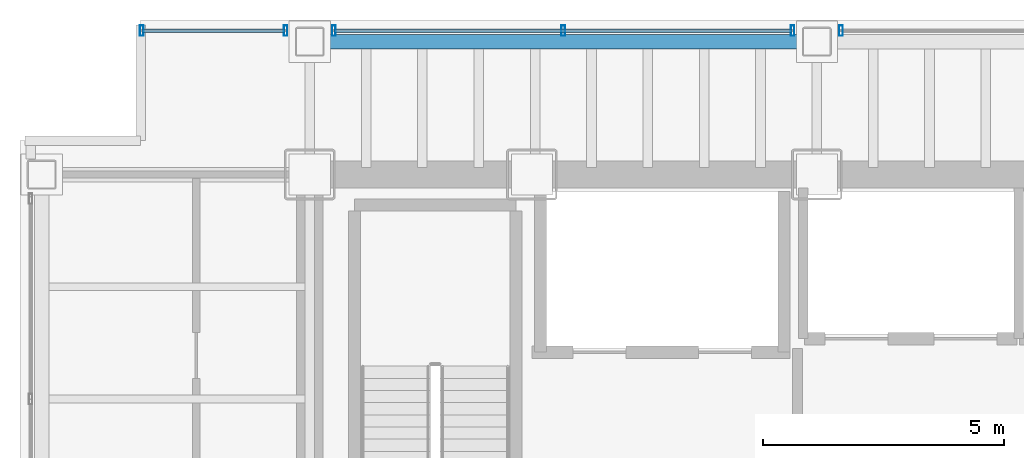
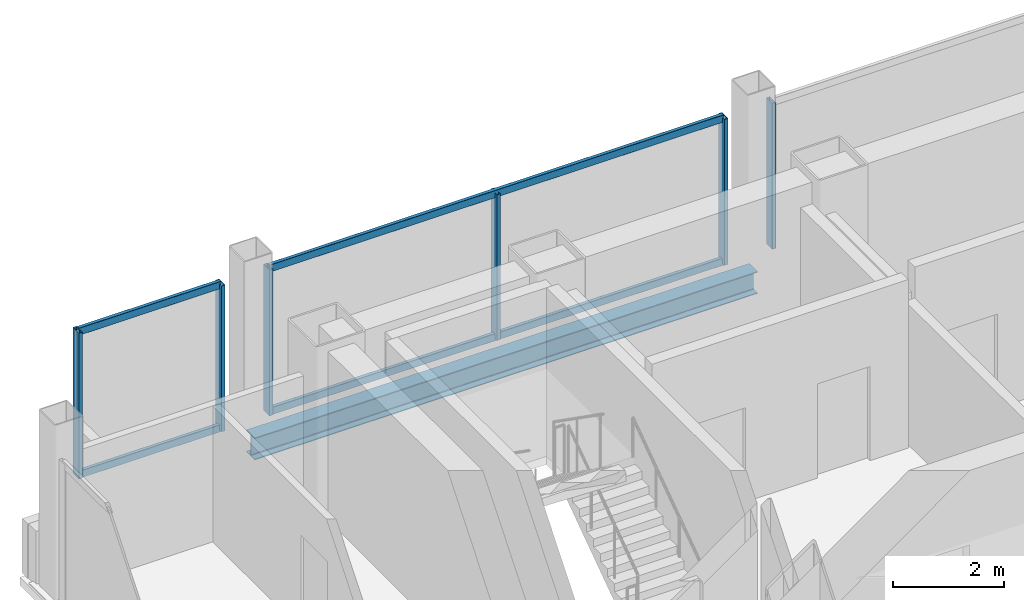
# One storey, part 14 of 22: 10 members, 1 beam, 3 elements without a shape of their own.
"""IFC4 building model written with IfcOpenShell, lengths in metres."""

from ifc_helpers import new_model, si_unit, direction, frame, origin, origin_2d, place, context, subcontext, project, spatial, hollow_rectangle, i_section, extrude, material, material_profile, profile_set, type_object, element, aggregate, save


model = new_model("IFC4")

# Units and contexts
model_context = context("Model", 3, precision=1e-05, world=origin(), true_north=direction((0.0, 1.0)))
body_context = subcontext(model_context, "Body", "Model", "MODEL_VIEW")
ifc_project = project(units=[si_unit("LENGTHUNIT", "METRE"), si_unit("AREAUNIT", "SQUARE_METRE"), si_unit("VOLUMEUNIT", "CUBIC_METRE"), si_unit("PLANEANGLEUNIT", "RADIAN"), si_unit("MASSUNIT", "GRAM", prefix="KILO")], contexts=[model_context])

# Site, building, storey
site_placement = place(None, origin())
site = spatial("IfcSite", under=ifc_project, at=site_placement, CompositionType="ELEMENT")
building_placement = place(site_placement, origin())
building = spatial("IfcBuilding", under=site, at=building_placement, Name="Noeulbin Bourse Tower", CompositionType="ELEMENT")
storey_placement = place(building_placement, frame((0.0, 0.0, 88.89990234375)))
storey = spatial("IfcBuildingStorey", under=building, at=storey_placement, Name="L22", CompositionType="ELEMENT", Elevation=88.89990234375)

# Beam
ifc_material_1 = material(Name="Steel S355", Category="steel")
ifc_material_profile_1 = material_profile(ifc_material_1, i_section(OverallWidth=0.300048828125, OverallDepth=0.488037109375, WebThickness=0.010986328125, FlangeThickness=0.01806640625, FilletRadius=0.02197265625, at=origin_2d()), Name="H-488x300x11x18", Category="LoadBearing")
ifc_profile_set_1 = profile_set([ifc_material_profile_1], Name="Steel S355")
beam_type = type_object("IfcBeamType", Name="BM-SPN-488", PredefinedType="SPANDREL", material=ifc_profile_set_1)
beam_placement = place(storey_placement, frame((13.5, 41.050048828125, -0.423828125), z_axis=(1.0, 0.0, 0.0), x_axis=(0.0, 1.0, 0.0)))
element("IfcBeam", 1, at=beam_placement, inside=storey, type_object=beam_type, Name="North Spandrel L22-1", PredefinedType="SPANDREL", context=body_context, shape_type="SweptSolid", body=[
    extrude(i_section(OverallWidth=0.300048828125, OverallDepth=0.488037109375, WebThickness=0.010986328125, FlangeThickness=0.01806640625, FilletRadius=0.02197265625, at=origin_2d()), origin(), (0.0, 0.0, 1.0), 10.5),
])

# Curtain wall, members
ifc_material_2 = material(Name="Dark Solar-Control Double Glazing", Category="glass")
curtain_wall_type = type_object("IfcCurtainWallType", Name="CW-SYS-2", PredefinedType="NOTDEFINED", material=ifc_material_2)
curtain_wall_1_placement = place(storey_placement, origin())
curtain_wall_1 = element("IfcCurtainWall", 2, at=curtain_wall_1_placement, inside=storey, type_object=curtain_wall_type, Name="Unitised Curtain Wall CW-L22-N-S1", PredefinedType="NOTDEFINED")
ifc_material_3 = material(Name="Anodised Aluminium 6063-T6", Category="aluminium")
ifc_material_profile_2 = material_profile(ifc_material_3, hollow_rectangle(XDim=0.074951171875, YDim=0.219970703125, WallThickness=0.0048828125, InnerFilletRadius=0.00244140625, OuterFilletRadius=0.0048828125, at=origin_2d()), Name="ALU-MULL-75x220x5", Category="LoadBearing")
ifc_profile_set_2 = profile_set([ifc_material_profile_2], Name="Anodised Aluminium 6063-T6")
member_type_1 = type_object("IfcMemberType", Name="CW-SYS-2-MUL", PredefinedType="MULLION", material=ifc_profile_set_2)
member_1_placement = place(storey_placement, frame((10.02001953125, 41.280029296875, -0.02001953125), z_axis=(0.0, 0.0, 1.0), x_axis=(1.0, 0.0, 0.0)))
member_1 = element("IfcMember", 3, at=member_1_placement, type_object=member_type_1, Name="Curtain Wall Mullion CW-L22-N-S1-M00", PredefinedType="MULLION", context=body_context, shape_type="SweptSolid", body=[
    extrude(hollow_rectangle(XDim=0.074951171875, YDim=0.219970703125, WallThickness=0.0048828125, InnerFilletRadius=0.00244140625, OuterFilletRadius=0.0048828125, at=origin_2d()), origin(), (0.0, 0.0, 1.0), 3.22021484375),
])
member_2_placement = place(storey_placement, frame((13.0, 41.280029296875, -0.02001953125), z_axis=(0.0, 0.0, 1.0), x_axis=(1.0, 0.0, 0.0)))
member_2 = element("IfcMember", 4, at=member_2_placement, type_object=member_type_1, Name="Curtain Wall Mullion CW-L22-N-S1-M01", PredefinedType="MULLION", context=body_context, shape_type="SweptSolid", body=[
    extrude(hollow_rectangle(XDim=0.074951171875, YDim=0.219970703125, WallThickness=0.0048828125, InnerFilletRadius=0.00244140625, OuterFilletRadius=0.0048828125, at=origin_2d()), origin(), (0.0, 0.0, 1.0), 3.22021484375),
])

curtain_wall_2_placement = place(storey_placement, origin())
curtain_wall_2 = element("IfcCurtainWall", 5, at=curtain_wall_2_placement, inside=storey, type_object=curtain_wall_type, Name="Unitised Curtain Wall CW-L22-N-S2", PredefinedType="NOTDEFINED")
member_3_placement = place(storey_placement, frame((14.0, 41.280029296875, -0.02001953125), z_axis=(0.0, 0.0, 1.0), x_axis=(1.0, 0.0, 0.0)))
member_3 = element("IfcMember", 6, at=member_3_placement, type_object=member_type_1, Name="Curtain Wall Mullion CW-L22-N-S2-M00", PredefinedType="MULLION", context=body_context, shape_type="SweptSolid", body=[
    extrude(hollow_rectangle(XDim=0.074951171875, YDim=0.219970703125, WallThickness=0.0048828125, InnerFilletRadius=0.00244140625, OuterFilletRadius=0.0048828125, at=origin_2d()), origin(), (0.0, 0.0, 1.0), 3.22021484375),
])
member_4_placement = place(storey_placement, frame((18.75, 41.280029296875, -0.02001953125), z_axis=(0.0, 0.0, 1.0), x_axis=(1.0, 0.0, 0.0)))
member_4 = element("IfcMember", 7, at=member_4_placement, type_object=member_type_1, Name="Curtain Wall Mullion CW-L22-N-S2-M01", PredefinedType="MULLION", context=body_context, shape_type="SweptSolid", body=[
    extrude(hollow_rectangle(XDim=0.074951171875, YDim=0.219970703125, WallThickness=0.0048828125, InnerFilletRadius=0.00244140625, OuterFilletRadius=0.0048828125, at=origin_2d()), origin(), (0.0, 0.0, 1.0), 3.22021484375),
])
member_5_placement = place(storey_placement, frame((23.5, 41.280029296875, -0.02001953125), z_axis=(0.0, 0.0, 1.0), x_axis=(1.0, 0.0, 0.0)))
member_5 = element("IfcMember", 8, at=member_5_placement, type_object=member_type_1, Name="Curtain Wall Mullion CW-L22-N-S2-M02", PredefinedType="MULLION", context=body_context, shape_type="SweptSolid", body=[
    extrude(hollow_rectangle(XDim=0.074951171875, YDim=0.219970703125, WallThickness=0.0048828125, InnerFilletRadius=0.00244140625, OuterFilletRadius=0.0048828125, at=origin_2d()), origin(), (0.0, 0.0, 1.0), 3.22021484375),
])

# Curtain wall, member
curtain_wall_3_placement = place(storey_placement, origin())
curtain_wall_3 = element("IfcCurtainWall", 9, at=curtain_wall_3_placement, inside=storey, type_object=curtain_wall_type, Name="Unitised Curtain Wall CW-L22-N-S3", PredefinedType="NOTDEFINED")
member_6_placement = place(storey_placement, frame((24.5, 41.280029296875, -0.02001953125), z_axis=(0.0, 0.0, 1.0), x_axis=(1.0, 0.0, 0.0)))
member_6 = element("IfcMember", 10, at=member_6_placement, type_object=member_type_1, Name="Curtain Wall Mullion CW-L22-N-S3-M00", PredefinedType="MULLION", context=body_context, shape_type="SweptSolid", body=[
    extrude(hollow_rectangle(XDim=0.074951171875, YDim=0.219970703125, WallThickness=0.0048828125, InnerFilletRadius=0.00244140625, OuterFilletRadius=0.0048828125, at=origin_2d()), origin(), (0.0, 0.0, 1.0), 3.22021484375),
])
aggregate(curtain_wall_3, [member_6])

# Member
ifc_material_profile_3 = material_profile(ifc_material_3, hollow_rectangle(XDim=0.074951171875, YDim=0.159912109375, WallThickness=0.0048828125, InnerFilletRadius=0.00244140625, OuterFilletRadius=0.0048828125, at=origin_2d()), Name="ALU-TRAN-75x160x5", Category="LoadBearing")
ifc_profile_set_3 = profile_set([ifc_material_profile_3], Name="Anodised Aluminium 6063-T6")
member_type_2 = type_object("IfcMemberType", Name="CW-SYS-2-TRN", PredefinedType="USERDEFINED", material=ifc_profile_set_3)
member_7_placement = place(storey_placement, frame((10.030029296875, 41.280029296875, 0.010009765625), z_axis=(1.0, 0.0, 0.0), x_axis=(0.0, 1.0, 0.0)))
member_7 = element("IfcMember", 11, at=member_7_placement, type_object=member_type_2, Name="Curtain Wall Transom CW-L22-N-S1-T00", ObjectType="TRANSOM", PredefinedType="USERDEFINED", context=body_context, shape_type="SweptSolid", body=[
    extrude(hollow_rectangle(XDim=0.074951171875, YDim=0.159912109375, WallThickness=0.0048828125, InnerFilletRadius=0.00244140625, OuterFilletRadius=0.0048828125, at=origin_2d()), origin(), (0.0, 0.0, 1.0), 2.9599609375),
])

member_8_placement = place(storey_placement, frame((10.030029296875, 41.280029296875, 3.170166015625), z_axis=(1.0, 0.0, 0.0), x_axis=(0.0, 1.0, 0.0)))
member_8 = element("IfcMember", 12, at=member_8_placement, type_object=member_type_2, Name="Curtain Wall Transom CW-L22-N-S1-T01", ObjectType="TRANSOM", PredefinedType="USERDEFINED", context=body_context, shape_type="SweptSolid", body=[
    extrude(hollow_rectangle(XDim=0.074951171875, YDim=0.159912109375, WallThickness=0.0048828125, InnerFilletRadius=0.00244140625, OuterFilletRadius=0.0048828125, at=origin_2d()), origin(), (0.0, 0.0, 1.0), 2.9599609375),
])

aggregate(curtain_wall_1, [member_1, member_2, member_7, member_8])

member_9_placement = place(storey_placement, frame((14.010009765625, 41.280029296875, 0.010009765625), z_axis=(1.0, 0.0, 0.0), x_axis=(0.0, 1.0, 0.0)))
member_9 = element("IfcMember", 13, at=member_9_placement, type_object=member_type_2, Name="Curtain Wall Transom CW-L22-N-S2-T00", ObjectType="TRANSOM", PredefinedType="USERDEFINED", context=body_context, shape_type="SweptSolid", body=[
    extrude(hollow_rectangle(XDim=0.074951171875, YDim=0.159912109375, WallThickness=0.0048828125, InnerFilletRadius=0.00244140625, OuterFilletRadius=0.0048828125, at=origin_2d()), origin(), (0.0, 0.0, 1.0), 9.47998046875),
])

member_10_placement = place(storey_placement, frame((14.010009765625, 41.280029296875, 3.170166015625), z_axis=(1.0, 0.0, 0.0), x_axis=(0.0, 1.0, 0.0)))
member_10 = element("IfcMember", 14, at=member_10_placement, type_object=member_type_2, Name="Curtain Wall Transom CW-L22-N-S2-T01", ObjectType="TRANSOM", PredefinedType="USERDEFINED", context=body_context, shape_type="SweptSolid", body=[
    extrude(hollow_rectangle(XDim=0.074951171875, YDim=0.159912109375, WallThickness=0.0048828125, InnerFilletRadius=0.00244140625, OuterFilletRadius=0.0048828125, at=origin_2d()), origin(), (0.0, 0.0, 1.0), 9.47998046875),
])

aggregate(curtain_wall_2, [member_3, member_4, member_5, member_9, member_10])

save(model, "model.ifc")
